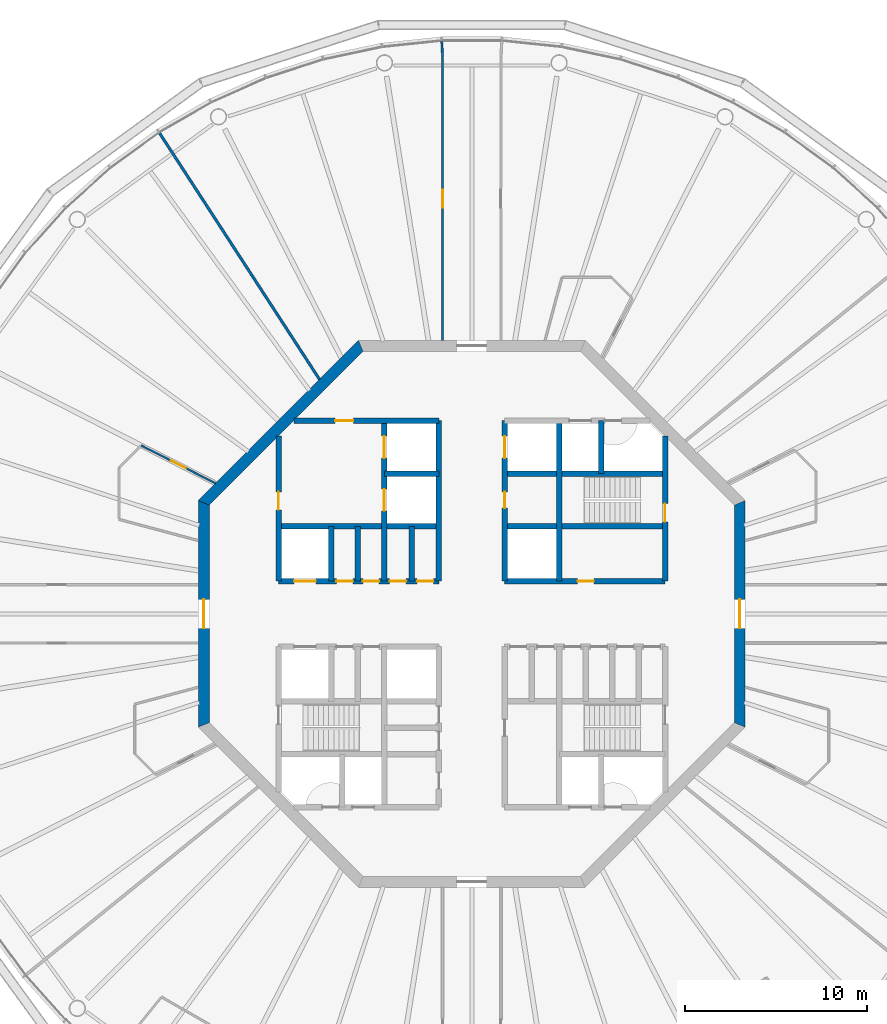
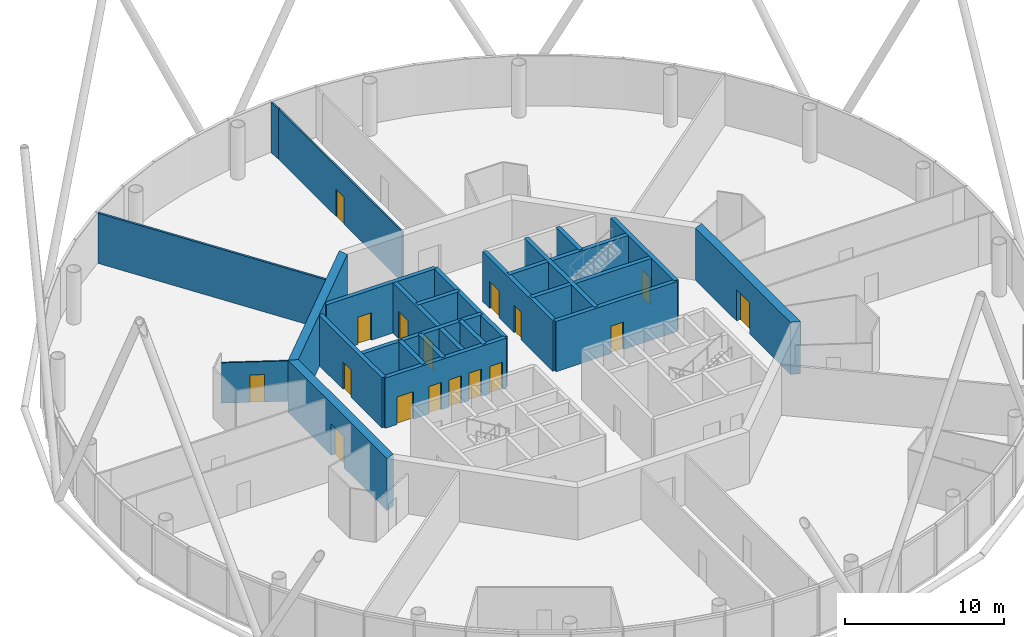
# One storey, part 5 of 13: 24 walls, 17 doors, 17 openings.
"""IFC4 building model written with IfcOpenShell, lengths in metres."""

from ifc_helpers import new_model, si_unit, direction, frame, frame_2d, origin, place, context, subcontext, project, spatial, polyline, rectangle, outline, extrude, material, layer, layer_set, type_object, element, fill, save


model = new_model("IFC4")

# Units and contexts
model_context = context("Model", 3, precision=1e-05, world=origin(), true_north=direction((0.0, 1.0)))
body_context = subcontext(model_context, "Body", "Model", "MODEL_VIEW")
ifc_project = project(units=[si_unit("LENGTHUNIT", "METRE"), si_unit("AREAUNIT", "SQUARE_METRE"), si_unit("VOLUMEUNIT", "CUBIC_METRE"), si_unit("PLANEANGLEUNIT", "RADIAN"), si_unit("MASSUNIT", "GRAM", prefix="KILO")], contexts=[model_context])

# Site, building, storey
site_placement = place(None, origin())
site = spatial("IfcSite", under=ifc_project, at=site_placement, CompositionType="ELEMENT")
building_placement = place(site_placement, origin())
building = spatial("IfcBuilding", under=site, at=building_placement, Name="Entoto Ring Tower", CompositionType="ELEMENT")
storey_placement = place(building_placement, frame((0.0, 0.0, 336.0)))
storey = spatial("IfcBuildingStorey", under=building, at=storey_placement, Name="L77", CompositionType="ELEMENT", Elevation=336.0)

# Wall, opening, door
ifc_material_1 = material(Name="Concrete C40/50", Category="concrete")
ifc_layer_1 = layer(ifc_material_1, 0.300048828125)
ifc_layer_set_1 = layer_set([ifc_layer_1], Name="Concrete C40/50")
wall_type_1 = type_object("IfcWallType", Name="Core enclosure wall 300 mm reinforced concrete", PredefinedType="SOLIDWALL", material=ifc_layer_set_1)
wall_1_placement = place(storey_placement, frame((100.60009765625, 81.800048828125, 0.0), z_axis=(0.0, 0.0, 1.0), x_axis=(0.0, 1.0, 0.0)))
wall_1 = element("IfcWall", 1, at=wall_1_placement, inside=storey, type_object=wall_type_1, Name="wall-L77-002", PredefinedType="SOLIDWALL", context=body_context, shape_type="SweptSolid", body=[
    extrude(rectangle(XDim=7.964599609375, YDim=0.300048828125, at=frame_2d((3.982421875, 0.0))), origin(), (0.0, 0.0, 1.0), 3.85009765625),
])
opening_1_placement = place(wall_1_placement, frame((3.25, 0.0, 0.0)))
opening_1 = element("IfcOpeningElement", 2, at=opening_1_placement, cuts=wall_1, Name="Opening K-29", PredefinedType="OPENING", context=body_context, shape_type="SweptSolid", body=[
    extrude(rectangle(XDim=1.0, YDim=2.10009765625, at=frame_2d((0.5, 1.050048828125))), frame((0.0, 0.16015625, 0.0), z_axis=(0.0, -1.0, 0.0), x_axis=(1.0, 0.0, 0.0)), (0.0, 0.0, 1.0), 0.320068359375),
])
ifc_material_2 = material(Name="Steel door leaf, fire rated", Category="steel")
ifc_layer_2 = layer(ifc_material_2, 0.050048828125)
ifc_layer_set_2 = layer_set([ifc_layer_2], Name="Steel door leaf, fire rated")
door_type_1 = type_object("IfcDoorType", Name="Fire door FD60 1000 x 2100 single leaf", OperationType="NOTDEFINED", PredefinedType="DOOR", material=ifc_layer_set_2)
door_1_placement = place(opening_1_placement, origin())
door_1 = element("IfcDoor", 3, at=door_1_placement, inside=storey, type_object=door_type_1, Name="Door K-29", OperationType="SINGLE_SWING_LEFT", OverallHeight=2.10009765625, OverallWidth=1.0, PredefinedType="DOOR", context=body_context, shape_type="SweptSolid", body=[
    extrude(rectangle(XDim=1.0, YDim=2.10009765625, at=frame_2d((0.5, 1.050048828125))), frame((0.0, 0.02490234375, 0.0), z_axis=(0.0, -1.0, 0.0), x_axis=(1.0, 0.0, 0.0)), (0.0, 0.0, 1.0), 0.050048828125),
])
fill(opening_1, door_1)

# Walls
wall_2_placement = place(storey_placement, frame((97.10009765625, 87.699951171875, 0.0), z_axis=(0.0, 0.0, 1.0), x_axis=(0.0, 1.0, 0.0)))
element("IfcWall", 4, at=wall_2_placement, inside=storey, type_object=wall_type_1, Name="wall-L77-006", PredefinedType="SOLIDWALL", context=body_context, shape_type="SweptSolid", body=[
    extrude(rectangle(XDim=2.900146484375, YDim=0.300048828125, at=frame_2d((1.4501953125, 0.0))), origin(), (0.0, 0.0, 1.0), 3.85009765625),
])
wall_3_placement = place(storey_placement, frame((94.800048828125, 81.800048828125, 0.0), z_axis=(0.0, 0.0, 1.0), x_axis=(0.0, 1.0, 0.0)))
element("IfcWall", 5, at=wall_3_placement, inside=storey, type_object=wall_type_1, Name="wall-L77-009", PredefinedType="SOLIDWALL", context=body_context, shape_type="SweptSolid", body=[
    extrude(rectangle(XDim=8.800048828125, YDim=0.300048828125, at=frame_2d((4.39990234375, 0.0))), origin(), (0.0, 0.0, 1.0), 3.85009765625),
])

# Wall, openings, doors
wall_4_placement = place(storey_placement, frame((91.800048828125, 81.800048828125, 0.0), z_axis=(0.0, 0.0, 1.0), x_axis=(0.0, 1.0, 0.0)))
wall_4 = element("IfcWall", 6, at=wall_4_placement, inside=storey, type_object=wall_type_1, Name="wall-L77-012", PredefinedType="SOLIDWALL", context=body_context, shape_type="SweptSolid", body=[
    extrude(rectangle(XDim=8.800048828125, YDim=0.300048828125, at=frame_2d((4.39990234375, 0.0))), origin(), (0.0, 0.0, 1.0), 3.85009765625),
])
opening_2_placement = place(wall_4_placement, frame((6.75, 0.0, 0.0)))
opening_2 = element("IfcOpeningElement", 7, at=opening_2_placement, cuts=wall_4, Name="Opening LD", PredefinedType="OPENING", context=body_context, shape_type="SweptSolid", body=[
    extrude(rectangle(XDim=1.199951171875, YDim=2.10009765625, at=frame_2d((0.60009765625, 1.050048828125))), frame((0.0, 0.16015625, 0.0), z_axis=(0.0, -1.0, 0.0), x_axis=(1.0, 0.0, 0.0)), (0.0, 0.0, 1.0), 0.320068359375),
])
opening_3_placement = place(wall_4_placement, frame((4.0, 0.0, 0.0)))
opening_3 = element("IfcOpeningElement", 8, at=opening_3_placement, cuts=wall_4, Name="Opening K-63", PredefinedType="OPENING", context=body_context, shape_type="SweptSolid", body=[
    extrude(rectangle(XDim=0.89990234375, YDim=2.10009765625, at=frame_2d((0.449951171875, 1.050048828125))), frame((0.0, 0.16015625, 0.0), z_axis=(0.0, -1.0, 0.0), x_axis=(1.0, 0.0, 0.0)), (0.0, 0.0, 1.0), 0.320068359375),
])
ifc_material_3 = material(Name="Steel door leaf, fire rated", Category="steel")
ifc_layer_3 = layer(ifc_material_3, 0.050048828125)
ifc_layer_set_3 = layer_set([ifc_layer_3], Name="Steel door leaf, fire rated")
door_type_2 = type_object("IfcDoorType", Name="Core door 900 x 2100 single leaf", OperationType="NOTDEFINED", PredefinedType="DOOR", material=ifc_layer_set_3)
door_2_placement = place(opening_3_placement, frame((0.89990234375, 0.0, 0.0), z_axis=(0.0, 0.0, 1.0), x_axis=(-1.0, 0.0, 0.0)))
door_2 = element("IfcDoor", 9, at=door_2_placement, inside=storey, type_object=door_type_2, Name="Door K-63", OperationType="SINGLE_SWING_RIGHT", OverallHeight=2.10009765625, OverallWidth=0.89990234375, PredefinedType="DOOR", context=body_context, shape_type="SweptSolid", body=[
    extrude(rectangle(XDim=0.89990234375, YDim=2.10009765625, at=frame_2d((0.449951171875, 1.050048828125))), frame((0.0, 0.02490234375, 0.0), z_axis=(0.0, -1.0, 0.0), x_axis=(1.0, 0.0, 0.0)), (0.0, 0.0, 1.0), 0.050048828125),
])
fill(opening_3, door_2)
ifc_material_4 = material(Name="Steel and glass door leaf", Category="steel")
ifc_layer_4 = layer(ifc_material_4, 0.050048828125)
ifc_layer_set_4 = layer_set([ifc_layer_4], Name="Steel and glass door leaf")
door_type_3 = type_object("IfcDoorType", Name="Landing door 1200 x 2100 sliding", OperationType="DOUBLE_DOOR_SLIDING", PredefinedType="DOOR", material=ifc_layer_set_4)
door_3_placement = place(opening_2_placement, origin())
door_3 = element("IfcDoor", 10, at=door_3_placement, inside=storey, type_object=door_type_3, Name="Landing door SH3", OperationType="SLIDING_TO_RIGHT", OverallHeight=2.10009765625, OverallWidth=1.199951171875, PredefinedType="DOOR", context=body_context, shape_type="SweptSolid", body=[
    extrude(rectangle(XDim=1.199951171875, YDim=2.10009765625, at=frame_2d((0.60009765625, 1.050048828125))), frame((0.0, 0.02490234375, 0.0), z_axis=(0.0, -1.0, 0.0), x_axis=(1.0, 0.0, 0.0)), (0.0, 0.0, 1.0), 0.050048828125),
])
fill(opening_2, door_3)

# Walls
wall_5_placement = place(storey_placement, frame((88.199951171875, 81.800048828125, 0.0), z_axis=(0.0, 0.0, 1.0), x_axis=(0.0, 1.0, 0.0)))
element("IfcWall", 11, at=wall_5_placement, inside=storey, type_object=wall_type_1, Name="wall-L77-014", PredefinedType="SOLIDWALL", context=body_context, shape_type="SweptSolid", body=[
    extrude(rectangle(XDim=8.800048828125, YDim=0.300048828125, at=frame_2d((4.39990234375, 0.0))), origin(), (0.0, 0.0, 1.0), 3.85009765625),
])
wall_6_placement = place(storey_placement, frame((86.699951171875, 81.800048828125, 0.0), z_axis=(0.0, 0.0, 1.0), x_axis=(0.0, 1.0, 0.0)))
element("IfcWall", 12, at=wall_6_placement, inside=storey, type_object=wall_type_1, Name="wall-L77-015", PredefinedType="SOLIDWALL", context=body_context, shape_type="SweptSolid", body=[
    extrude(rectangle(XDim=3.0, YDim=0.300048828125, at=frame_2d((1.5, 0.0))), origin(), (0.0, 0.0, 1.0), 3.85009765625),
])

# Wall, openings, doors
wall_7_placement = place(storey_placement, frame((85.199951171875, 81.800048828125, 0.0), z_axis=(0.0, 0.0, 1.0), x_axis=(0.0, 1.0, 0.0)))
wall_7 = element("IfcWall", 13, at=wall_7_placement, inside=storey, type_object=wall_type_1, Name="wall-L77-017", PredefinedType="SOLIDWALL", context=body_context, shape_type="SweptSolid", body=[
    extrude(rectangle(XDim=8.800048828125, YDim=0.300048828125, at=frame_2d((4.39990234375, 0.0))), origin(), (0.0, 0.0, 1.0), 3.85009765625),
])
opening_4_placement = place(wall_7_placement, frame((3.85009765625, 0.0, 0.0)))
opening_4 = element("IfcOpeningElement", 14, at=opening_4_placement, cuts=wall_7, Name="Opening LD", PredefinedType="OPENING", context=body_context, shape_type="SweptSolid", body=[
    extrude(rectangle(XDim=1.199951171875, YDim=2.10009765625, at=frame_2d((0.60009765625, 1.050048828125))), frame((0.0, 0.16015625, 0.0), z_axis=(0.0, -1.0, 0.0), x_axis=(1.0, 0.0, 0.0)), (0.0, 0.0, 1.0), 0.320068359375),
])
opening_5_placement = place(wall_7_placement, frame((6.75, 0.0, 0.0)))
opening_5 = element("IfcOpeningElement", 15, at=opening_5_placement, cuts=wall_7, Name="Opening LD", PredefinedType="OPENING", context=body_context, shape_type="SweptSolid", body=[
    extrude(rectangle(XDim=1.199951171875, YDim=2.10009765625, at=frame_2d((0.60009765625, 1.050048828125))), frame((0.0, 0.16015625, 0.0), z_axis=(0.0, -1.0, 0.0), x_axis=(1.0, 0.0, 0.0)), (0.0, 0.0, 1.0), 0.320068359375),
])
door_4_placement = place(opening_4_placement, origin())
door_4 = element("IfcDoor", 16, at=door_4_placement, inside=storey, type_object=door_type_3, Name="Landing door FF1", OperationType="SLIDING_TO_RIGHT", OverallHeight=2.10009765625, OverallWidth=1.199951171875, PredefinedType="DOOR", context=body_context, shape_type="SweptSolid", body=[
    extrude(rectangle(XDim=1.199951171875, YDim=2.10009765625, at=frame_2d((0.60009765625, 1.050048828125))), frame((0.0, 0.02490234375, 0.0), z_axis=(0.0, -1.0, 0.0), x_axis=(1.0, 0.0, 0.0)), (0.0, 0.0, 1.0), 0.050048828125),
])
fill(opening_4, door_4)
door_5_placement = place(opening_5_placement, origin())
door_5 = element("IfcDoor", 17, at=door_5_placement, inside=storey, type_object=door_type_3, Name="Landing door FF2", OperationType="SLIDING_TO_RIGHT", OverallHeight=2.10009765625, OverallWidth=1.199951171875, PredefinedType="DOOR", context=body_context, shape_type="SweptSolid", body=[
    extrude(rectangle(XDim=1.199951171875, YDim=2.10009765625, at=frame_2d((0.60009765625, 1.050048828125))), frame((0.0, 0.02490234375, 0.0), z_axis=(0.0, -1.0, 0.0), x_axis=(1.0, 0.0, 0.0)), (0.0, 0.0, 1.0), 0.050048828125),
])
fill(opening_5, door_5)

# Walls
for number, where, z_axis, x_axis, name in (
    (18, (83.75, 81.800048828125, 0.0), (0.0, 0.0, 1.0), (0.0, 1.0, 0.0), "wall-L77-019"),
    (19, (82.300048828125, 81.800048828125, 0.0), (0.0, 0.0, 1.0), (0.0, 1.0, 0.0), "wall-L77-022"),
):
    element("IfcWall", number, at=place(storey_placement, frame(where, z_axis=z_axis, x_axis=x_axis)), inside=storey, type_object=wall_type_1, Name=name, PredefinedType="SOLIDWALL", context=body_context, shape_type="SweptSolid", body=[
        extrude(rectangle(XDim=3.0, YDim=0.300048828125, at=frame_2d((1.5, 0.0))), origin(), (0.0, 0.0, 1.0), 3.85009765625),
    ])

# Wall, opening, door
wall_8_placement = place(storey_placement, frame((79.39990234375, 81.800048828125, 0.0), z_axis=(0.0, 0.0, 1.0), x_axis=(0.0, 1.0, 0.0)))
wall_8 = element("IfcWall", 20, at=wall_8_placement, inside=storey, type_object=wall_type_1, Name="wall-L77-024", PredefinedType="SOLIDWALL", context=body_context, shape_type="SweptSolid", body=[
    extrude(rectangle(XDim=7.964599609375, YDim=0.300048828125, at=frame_2d((3.982421875, 0.0))), origin(), (0.0, 0.0, 1.0), 3.85009765625),
])
opening_6_placement = place(wall_8_placement, frame((3.89990234375, 0.0, 0.0)))
opening_6 = element("IfcOpeningElement", 21, at=opening_6_placement, cuts=wall_8, Name="Opening K-35", PredefinedType="OPENING", context=body_context, shape_type="SweptSolid", body=[
    extrude(rectangle(XDim=1.0, YDim=2.10009765625, at=frame_2d((0.5, 1.050048828125))), frame((0.0, 0.16015625, 0.0), z_axis=(0.0, -1.0, 0.0), x_axis=(1.0, 0.0, 0.0)), (0.0, 0.0, 1.0), 0.320068359375),
])
door_6_placement = place(opening_6_placement, frame((1.0, 0.0, 0.0), z_axis=(0.0, 0.0, 1.0), x_axis=(-1.0, 0.0, 0.0)))
door_6 = element("IfcDoor", 22, at=door_6_placement, inside=storey, type_object=door_type_1, Name="Door K-35", OperationType="SINGLE_SWING_RIGHT", OverallHeight=2.10009765625, OverallWidth=1.0, PredefinedType="DOOR", context=body_context, shape_type="SweptSolid", body=[
    extrude(rectangle(XDim=1.0, YDim=2.10009765625, at=frame_2d((0.5, 1.050048828125))), frame((0.0, 0.02490234375, 0.0), z_axis=(0.0, -1.0, 0.0), x_axis=(1.0, 0.0, 0.0)), (0.0, 0.0, 1.0), 0.050048828125),
])
fill(opening_6, door_6)

# Wall, openings, doors
wall_9_placement = place(storey_placement, frame((79.39990234375, 81.800048828125, 0.0), z_axis=(0.0, 0.0, 1.0), x_axis=(1.0, 0.0, 0.0)))
wall_9 = element("IfcWall", 23, at=wall_9_placement, inside=storey, type_object=wall_type_1, Name="wall-L77-034", PredefinedType="SOLIDWALL", context=body_context, shape_type="SweptSolid", body=[
    extrude(rectangle(XDim=8.800048828125, YDim=0.300048828125, at=frame_2d((4.39990234375, 0.0))), origin(), (0.0, 0.0, 1.0), 3.85009765625),
])
opening_7_placement = place(wall_9_placement, frame((0.85009765625, 0.0, 0.0)))
opening_7 = element("IfcOpeningElement", 24, at=opening_7_placement, cuts=wall_9, Name="Opening LD", PredefinedType="OPENING", context=body_context, shape_type="SweptSolid", body=[
    extrude(rectangle(XDim=1.199951171875, YDim=2.10009765625, at=frame_2d((0.60009765625, 1.050048828125))), frame((0.0, 0.16015625, 0.0), z_axis=(0.0, -1.0, 0.0), x_axis=(1.0, 0.0, 0.0)), (0.0, 0.0, 1.0), 0.320068359375),
])
opening_8_placement = place(wall_9_placement, frame((3.175048828125, 0.0, 0.0)))
opening_8 = element("IfcOpeningElement", 25, at=opening_8_placement, cuts=wall_9, Name="Opening K-12", PredefinedType="OPENING", context=body_context, shape_type="SweptSolid", body=[
    extrude(rectangle(XDim=0.89990234375, YDim=2.10009765625, at=frame_2d((0.449951171875, 1.050048828125))), frame((0.0, 0.16015625, 0.0), z_axis=(0.0, -1.0, 0.0), x_axis=(1.0, 0.0, 0.0)), (0.0, 0.0, 1.0), 0.320068359375),
])
opening_9_placement = place(wall_9_placement, frame((4.625, 0.0, 0.0)))
opening_9 = element("IfcOpeningElement", 26, at=opening_9_placement, cuts=wall_9, Name="Opening K-46", PredefinedType="OPENING", context=body_context, shape_type="SweptSolid", body=[
    extrude(rectangle(XDim=0.89990234375, YDim=2.10009765625, at=frame_2d((0.449951171875, 1.050048828125))), frame((0.0, 0.16015625, 0.0), z_axis=(0.0, -1.0, 0.0), x_axis=(1.0, 0.0, 0.0)), (0.0, 0.0, 1.0), 0.320068359375),
])
opening_10_placement = place(wall_9_placement, frame((6.10009765625, 0.0, 0.0)))
opening_10 = element("IfcOpeningElement", 27, at=opening_10_placement, cuts=wall_9, Name="Opening K-25", PredefinedType="OPENING", context=body_context, shape_type="SweptSolid", body=[
    extrude(rectangle(XDim=0.89990234375, YDim=2.10009765625, at=frame_2d((0.449951171875, 1.050048828125))), frame((0.0, 0.16015625, 0.0), z_axis=(0.0, -1.0, 0.0), x_axis=(1.0, 0.0, 0.0)), (0.0, 0.0, 1.0), 0.320068359375),
])
opening_11_placement = place(wall_9_placement, frame((7.60009765625, 0.0, 0.0)))
opening_11 = element("IfcOpeningElement", 28, at=opening_11_placement, cuts=wall_9, Name="Opening K-77", PredefinedType="OPENING", context=body_context, shape_type="SweptSolid", body=[
    extrude(rectangle(XDim=0.89990234375, YDim=2.10009765625, at=frame_2d((0.449951171875, 1.050048828125))), frame((0.0, 0.16015625, 0.0), z_axis=(0.0, -1.0, 0.0), x_axis=(1.0, 0.0, 0.0)), (0.0, 0.0, 1.0), 0.320068359375),
])
door_7_placement = place(opening_8_placement, origin())
door_7 = element("IfcDoor", 29, at=door_7_placement, inside=storey, type_object=door_type_2, Name="Door K-12", OperationType="SINGLE_SWING_RIGHT", OverallHeight=2.10009765625, OverallWidth=0.89990234375, PredefinedType="DOOR", context=body_context, shape_type="SweptSolid", body=[
    extrude(rectangle(XDim=0.89990234375, YDim=2.10009765625, at=frame_2d((0.449951171875, 1.050048828125))), frame((0.0, 0.02490234375, 0.0), z_axis=(0.0, -1.0, 0.0), x_axis=(1.0, 0.0, 0.0)), (0.0, 0.0, 1.0), 0.050048828125),
])
fill(opening_8, door_7)
door_8_placement = place(opening_9_placement, origin())
door_8 = element("IfcDoor", 30, at=door_8_placement, inside=storey, type_object=door_type_2, Name="Door K-46", OperationType="SINGLE_SWING_RIGHT", OverallHeight=2.10009765625, OverallWidth=0.89990234375, PredefinedType="DOOR", context=body_context, shape_type="SweptSolid", body=[
    extrude(rectangle(XDim=0.89990234375, YDim=2.10009765625, at=frame_2d((0.449951171875, 1.050048828125))), frame((0.0, 0.02490234375, 0.0), z_axis=(0.0, -1.0, 0.0), x_axis=(1.0, 0.0, 0.0)), (0.0, 0.0, 1.0), 0.050048828125),
])
fill(opening_9, door_8)
door_9_placement = place(opening_10_placement, origin())
door_9 = element("IfcDoor", 31, at=door_9_placement, inside=storey, type_object=door_type_2, Name="Door K-25", OperationType="SINGLE_SWING_LEFT", OverallHeight=2.10009765625, OverallWidth=0.89990234375, PredefinedType="DOOR", context=body_context, shape_type="SweptSolid", body=[
    extrude(rectangle(XDim=0.89990234375, YDim=2.10009765625, at=frame_2d((0.449951171875, 1.050048828125))), frame((0.0, 0.02490234375, 0.0), z_axis=(0.0, -1.0, 0.0), x_axis=(1.0, 0.0, 0.0)), (0.0, 0.0, 1.0), 0.050048828125),
])
fill(opening_10, door_9)
door_10_placement = place(opening_11_placement, origin())
door_10 = element("IfcDoor", 32, at=door_10_placement, inside=storey, type_object=door_type_2, Name="Door K-77", OperationType="SINGLE_SWING_LEFT", OverallHeight=2.10009765625, OverallWidth=0.89990234375, PredefinedType="DOOR", context=body_context, shape_type="SweptSolid", body=[
    extrude(rectangle(XDim=0.89990234375, YDim=2.10009765625, at=frame_2d((0.449951171875, 1.050048828125))), frame((0.0, 0.02490234375, 0.0), z_axis=(0.0, -1.0, 0.0), x_axis=(1.0, 0.0, 0.0)), (0.0, 0.0, 1.0), 0.050048828125),
])
fill(opening_11, door_10)
door_11_placement = place(opening_7_placement, origin())
door_11 = element("IfcDoor", 33, at=door_11_placement, inside=storey, type_object=door_type_3, Name="Landing door SH1", OperationType="SLIDING_TO_RIGHT", OverallHeight=2.10009765625, OverallWidth=1.199951171875, PredefinedType="DOOR", context=body_context, shape_type="SweptSolid", body=[
    extrude(rectangle(XDim=1.199951171875, YDim=2.10009765625, at=frame_2d((0.60009765625, 1.050048828125))), frame((0.0, 0.02490234375, 0.0), z_axis=(0.0, -1.0, 0.0), x_axis=(1.0, 0.0, 0.0)), (0.0, 0.0, 1.0), 0.050048828125),
])
fill(opening_7, door_11)

# Wall, opening, door
wall_10_placement = place(storey_placement, frame((91.800048828125, 81.800048828125, 0.0), z_axis=(0.0, 0.0, 1.0), x_axis=(1.0, 0.0, 0.0)))
wall_10 = element("IfcWall", 34, at=wall_10_placement, inside=storey, type_object=wall_type_1, Name="wall-L77-035", PredefinedType="SOLIDWALL", context=body_context, shape_type="SweptSolid", body=[
    extrude(rectangle(XDim=8.800048828125, YDim=0.300048828125, at=frame_2d((4.39990234375, 0.0))), origin(), (0.0, 0.0, 1.0), 3.85009765625),
])
opening_12_placement = place(wall_10_placement, frame((4.0, 0.0, 0.0)))
opening_12 = element("IfcOpeningElement", 35, at=opening_12_placement, cuts=wall_10, Name="Opening K-11", PredefinedType="OPENING", context=body_context, shape_type="SweptSolid", body=[
    extrude(rectangle(XDim=0.89990234375, YDim=2.10009765625, at=frame_2d((0.449951171875, 1.050048828125))), frame((0.0, 0.16015625, 0.0), z_axis=(0.0, -1.0, 0.0), x_axis=(1.0, 0.0, 0.0)), (0.0, 0.0, 1.0), 0.320068359375),
])
door_12_placement = place(opening_12_placement, origin())
door_12 = element("IfcDoor", 36, at=door_12_placement, inside=storey, type_object=door_type_2, Name="Door K-11", OperationType="SINGLE_SWING_LEFT", OverallHeight=2.10009765625, OverallWidth=0.89990234375, PredefinedType="DOOR", context=body_context, shape_type="SweptSolid", body=[
    extrude(rectangle(XDim=0.89990234375, YDim=2.10009765625, at=frame_2d((0.449951171875, 1.050048828125))), frame((0.0, 0.02490234375, 0.0), z_axis=(0.0, -1.0, 0.0), x_axis=(1.0, 0.0, 0.0)), (0.0, 0.0, 1.0), 0.050048828125),
])
fill(opening_12, door_12)

# Walls
for number, where, z_axis, x_axis, name in (
    (37, (79.39990234375, 84.800048828125, 0.0), (0.0, 0.0, 1.0), (1.0, 0.0, 0.0), "wall-L77-036"),
    (38, (91.800048828125, 84.800048828125, 0.0), (0.0, 0.0, 1.0), (1.0, 0.0, 0.0), "wall-L77-037"),
):
    element("IfcWall", number, at=place(storey_placement, frame(where, z_axis=z_axis, x_axis=x_axis)), inside=storey, type_object=wall_type_1, Name=name, PredefinedType="SOLIDWALL", context=body_context, shape_type="SweptSolid", body=[
        extrude(rectangle(XDim=8.800048828125, YDim=0.300048828125, at=frame_2d((4.39990234375, 0.0))), origin(), (0.0, 0.0, 1.0), 3.85009765625),
    ])
wall_11_placement = place(storey_placement, frame((85.199951171875, 87.699951171875, 0.0), z_axis=(0.0, 0.0, 1.0), x_axis=(1.0, 0.0, 0.0)))
element("IfcWall", 39, at=wall_11_placement, inside=storey, type_object=wall_type_1, Name="wall-L77-038", PredefinedType="SOLIDWALL", context=body_context, shape_type="SweptSolid", body=[
    extrude(rectangle(XDim=3.0, YDim=0.300048828125, at=frame_2d((1.5, 0.0))), origin(), (0.0, 0.0, 1.0), 3.85009765625),
])
wall_12_placement = place(storey_placement, frame((91.800048828125, 87.699951171875, 0.0), z_axis=(0.0, 0.0, 1.0), x_axis=(1.0, 0.0, 0.0)))
element("IfcWall", 40, at=wall_12_placement, inside=storey, type_object=wall_type_1, Name="wall-L77-039", PredefinedType="SOLIDWALL", context=body_context, shape_type="SweptSolid", body=[
    extrude(rectangle(XDim=8.800048828125, YDim=0.300048828125, at=frame_2d((4.39990234375, 0.0))), origin(), (0.0, 0.0, 1.0), 3.85009765625),
])

# Wall, opening, door
wall_13_placement = place(storey_placement, frame((80.2353515625, 90.60009765625, 0.0), z_axis=(0.0, 0.0, 1.0), x_axis=(1.0, 0.0, 0.0)))
wall_13 = element("IfcWall", 41, at=wall_13_placement, inside=storey, type_object=wall_type_1, Name="wall-L77-040", PredefinedType="SOLIDWALL", context=body_context, shape_type="SweptSolid", body=[
    extrude(rectangle(XDim=7.964599609375, YDim=0.300048828125, at=frame_2d((3.982421875, 0.0))), origin(), (0.0, 0.0, 1.0), 3.85009765625),
])
opening_13_placement = place(wall_13_placement, frame((2.2646484375, 0.0, 0.0)))
opening_13 = element("IfcOpeningElement", 42, at=opening_13_placement, cuts=wall_13, Name="Opening K-36", PredefinedType="OPENING", context=body_context, shape_type="SweptSolid", body=[
    extrude(rectangle(XDim=1.0, YDim=2.10009765625, at=frame_2d((0.5, 1.050048828125))), frame((0.0, 0.16015625, 0.0), z_axis=(0.0, -1.0, 0.0), x_axis=(1.0, 0.0, 0.0)), (0.0, 0.0, 1.0), 0.320068359375),
])
door_13_placement = place(opening_13_placement, frame((1.0, 0.0, 0.0), z_axis=(0.0, 0.0, 1.0), x_axis=(-1.0, 0.0, 0.0)))
door_13 = element("IfcDoor", 43, at=door_13_placement, inside=storey, type_object=door_type_1, Name="Door K-36", OperationType="SINGLE_SWING_LEFT", OverallHeight=2.10009765625, OverallWidth=1.0, PredefinedType="DOOR", context=body_context, shape_type="SweptSolid", body=[
    extrude(rectangle(XDim=1.0, YDim=2.10009765625, at=frame_2d((0.5, 1.050048828125))), frame((0.0, 0.02490234375, 0.0), z_axis=(0.0, -1.0, 0.0), x_axis=(1.0, 0.0, 0.0)), (0.0, 0.0, 1.0), 0.050048828125),
])
fill(opening_13, door_13)

ifc_material_5 = material(Name="Concrete C40/50", Category="concrete")
ifc_layer_5 = layer(ifc_material_5, 0.60009765625)
ifc_layer_set_5 = layer_set([ifc_layer_5], Name="Concrete C40/50")
wall_type_2 = type_object("IfcWallType", Name="Core shear wall 600 mm reinforced concrete C40/50", PredefinedType="SHEAR", material=ifc_layer_set_5)
wall_14_placement = place(storey_placement, frame((104.699951171875, 73.9111328125, 0.0), z_axis=(0.0, 0.0, 1.0), x_axis=(0.0, 1.0, 0.0)))
wall_14 = element("IfcWall", 44, at=wall_14_placement, inside=storey, type_object=wall_type_2, Name="wall-L77-core-0", PredefinedType="SHEAR", context=body_context, shape_type="SweptSolid", body=[
    extrude(outline(polyline([(-0.124267578125, -0.300048828125), (12.302001953125, -0.300048828125), (12.053466796875, 0.300048828125), (0.124267578125, 0.300048828125), (-0.124267578125, -0.300048828125)])), origin(), (0.0, 0.0, 1.0), 4.0),
])
opening_14_placement = place(wall_14_placement, frame((5.288818359375, 0.0, 0.0)))
opening_14 = element("IfcOpeningElement", 45, at=opening_14_placement, cuts=wall_14, Name="Opening K-01", PredefinedType="OPENING", context=body_context, shape_type="SweptSolid", body=[
    extrude(rectangle(XDim=1.60009765625, YDim=2.39990234375, at=frame_2d((0.800048828125, 1.199951171875))), frame((0.0, 0.31005859375, 0.0), z_axis=(0.0, -1.0, 0.0), x_axis=(1.0, 0.0, 0.0)), (0.0, 0.0, 1.0), 0.6201171875),
])
ifc_material_6 = material(Name="Steel door leaf, fire rated", Category="steel")
ifc_layer_6 = layer(ifc_material_6, 0.050048828125)
ifc_layer_set_6 = layer_set([ifc_layer_6], Name="Steel door leaf, fire rated")
door_type_4 = type_object("IfcDoorType", Name="Entrance door FD60 1600 x 2400 double leaf", OperationType="DOUBLE_DOOR_SINGLE_SWING", PredefinedType="DOOR", material=ifc_layer_set_6)
door_14_placement = place(opening_14_placement, origin())
door_14 = element("IfcDoor", 46, at=door_14_placement, inside=storey, type_object=door_type_4, Name="Entrance door K-01", OperationType="DOUBLE_DOOR_SINGLE_SWING", OverallHeight=2.39990234375, OverallWidth=1.60009765625, PredefinedType="DOOR", context=body_context, shape_type="SweptSolid", body=[
    extrude(rectangle(XDim=1.60009765625, YDim=2.39990234375, at=frame_2d((0.800048828125, 1.199951171875))), frame((0.0, 0.02490234375, 0.0), z_axis=(0.0, -1.0, 0.0), x_axis=(1.0, 0.0, 0.0)), (0.0, 0.0, 1.0), 0.050048828125),
])
fill(opening_14, door_14)

# Wall
wall_15_placement = place(storey_placement, frame((83.9111328125, 94.699951171875, 0.0), z_axis=(0.0, 0.0, 1.0), x_axis=(-0.707106781187, -0.707106781187, 0.0)))
element("IfcWall", 47, at=wall_15_placement, inside=storey, type_object=wall_type_2, Name="wall-L77-core-3", PredefinedType="SHEAR", context=body_context, shape_type="SweptSolid", body=[
    extrude(outline(polyline([(-0.124267578125, -0.300048828125), (12.30224609375, -0.300048828125), (12.0537109375, 0.300048828125), (0.124267578125, 0.300048828125), (-0.124267578125, -0.300048828125)])), origin(), (0.0, 0.0, 1.0), 4.0),
])

# Wall, opening, door
wall_16_placement = place(storey_placement, frame((75.300048828125, 86.0888671875, 0.0), z_axis=(0.0, 0.0, 1.0), x_axis=(0.0, -1.0, 0.0)))
wall_16 = element("IfcWall", 48, at=wall_16_placement, inside=storey, type_object=wall_type_2, Name="wall-L77-core-4", PredefinedType="SHEAR", context=body_context, shape_type="SweptSolid", body=[
    extrude(outline(polyline([(-0.124267578125, -0.300048828125), (12.302001953125, -0.300048828125), (12.053466796875, 0.300048828125), (0.124267578125, 0.300048828125), (-0.124267578125, -0.300048828125)])), origin(), (0.0, 0.0, 1.0), 4.0),
])
opening_15_placement = place(wall_16_placement, frame((5.288818359375, 0.0, 0.0)))
opening_15 = element("IfcOpeningElement", 49, at=opening_15_placement, cuts=wall_16, Name="Opening K-03", PredefinedType="OPENING", context=body_context, shape_type="SweptSolid", body=[
    extrude(rectangle(XDim=1.60009765625, YDim=2.39990234375, at=frame_2d((0.800048828125, 1.199951171875))), frame((0.0, 0.31005859375, 0.0), z_axis=(0.0, -1.0, 0.0), x_axis=(1.0, 0.0, 0.0)), (0.0, 0.0, 1.0), 0.6201171875),
])
door_15_placement = place(opening_15_placement, origin())
door_15 = element("IfcDoor", 50, at=door_15_placement, inside=storey, type_object=door_type_4, Name="Entrance door K-03", OperationType="DOUBLE_DOOR_SINGLE_SWING", OverallHeight=2.39990234375, OverallWidth=1.60009765625, PredefinedType="DOOR", context=body_context, shape_type="SweptSolid", body=[
    extrude(rectangle(XDim=1.60009765625, YDim=2.39990234375, at=frame_2d((0.800048828125, 1.199951171875))), frame((0.0, 0.02490234375, 0.0), z_axis=(0.0, -1.0, 0.0), x_axis=(1.0, 0.0, 0.0)), (0.0, 0.0, 1.0), 0.050048828125),
])
fill(opening_15, door_15)

ifc_material_7 = material(Name="Fire-resisting plasterboard on steel studs", Category="steel")
ifc_layer_7 = layer(ifc_material_7, 0.125)
ifc_layer_set_7 = layer_set([ifc_layer_7], Name="Fire-resisting plasterboard on steel studs")
wall_type_3 = type_object("IfcWallType", Name="Corridor wall 125 mm one-hour plasterboard on steel studs", PredefinedType="PARTITIONING", material=ifc_layer_set_7)
wall_17_placement = place(storey_placement, frame((88.39990234375, 95.0, 0.0), z_axis=(0.0, 0.0, 1.0), x_axis=(0.0, 1.0, 0.0)))
wall_17 = element("IfcWall", 51, at=wall_17_placement, inside=storey, type_object=wall_type_3, Name="partition-L77-004", PredefinedType="PARTITIONING", context=body_context, shape_type="SweptSolid", body=[
    extrude(rectangle(XDim=15.52978515625, YDim=0.125, at=frame_2d((7.764892578125, 0.0))), origin(), (0.0, 0.0, 1.0), 3.85009765625),
])
opening_16_placement = place(wall_17_placement, frame((7.264892578125, 0.0, 0.0)))
opening_16 = element("IfcOpeningElement", 52, at=opening_16_placement, cuts=wall_17, Name="Opening A34-D05", PredefinedType="OPENING", context=body_context, shape_type="SweptSolid", body=[
    extrude(rectangle(XDim=1.0, YDim=2.10009765625, at=frame_2d((0.5, 1.050048828125))), frame((0.0, 0.072509765625, 0.0), z_axis=(0.0, -1.0, 0.0), x_axis=(1.0, 0.0, 0.0)), (0.0, 0.0, 1.0), 0.14501953125),
])
ifc_material_8 = material(Name="Fire-resisting timber door set", Category="wood")
door_type_5 = type_object("IfcDoorType", Name="Door 1000 x 2100 single leaf FD30S fire door", OperationType="NOTDEFINED", PredefinedType="DOOR", material=ifc_material_8)
door_16_placement = place(opening_16_placement, origin())
door_16 = element("IfcDoor", 53, at=door_16_placement, inside=storey, type_object=door_type_5, Name="Door A34-D05", OperationType="SINGLE_SWING_LEFT", OverallHeight=2.10009765625, OverallWidth=1.0, PredefinedType="DOOR", context=body_context, shape_type="SweptSolid", body=[
    extrude(rectangle(XDim=1.0, YDim=2.10009765625, at=frame_2d((0.5, 1.050048828125))), frame((0.0, 0.02490234375, 0.0), z_axis=(0.0, -1.0, 0.0), x_axis=(1.0, 0.0, 0.0)), (0.0, 0.0, 1.0), 0.050048828125),
])
fill(opening_16, door_16)

# Wall
wall_18_placement = place(storey_placement, frame((88.39990234375, 110.533203125, 0.0), z_axis=(0.0, 0.0, 1.0), x_axis=(-0.052499574911, 0.998620946423, 0.0)))
element("IfcWall", 54, at=wall_18_placement, inside=storey, type_object=wall_type_3, Name="partition-L77-012", PredefinedType="PARTITIONING", context=body_context, shape_type="SweptSolid", body=[
    extrude(rectangle(XDim=0.864990234375, YDim=0.125, at=frame_2d((0.4326171875, 0.0))), origin(), (0.0, 0.0, 1.0), 3.85009765625),
])

# Wall, opening, door
ifc_material_9 = material(Name="Plasterboard on steel studs", Category="steel")
ifc_layer_8 = layer(ifc_material_9, 0.10009765625)
ifc_layer_set_8 = layer_set([ifc_layer_8], Name="Plasterboard on steel studs")
wall_type_4 = type_object("IfcWallType", Name="Partition 100 mm plasterboard on steel studs, 3097 mm high", PredefinedType="PARTITIONING", material=ifc_layer_set_8)
wall_19_placement = place(storey_placement, frame((75.947021484375, 87.160400390625, 0.0), z_axis=(0.0, 0.0, 1.0), x_axis=(-0.891006498341, 0.453990550467, 0.0)))
wall_19 = element("IfcWall", 55, at=wall_19_placement, inside=storey, type_object=wall_type_4, Name="partition-L77-026", PredefinedType="PARTITIONING", context=body_context, shape_type="SweptSolid", body=[
    extrude(rectangle(XDim=4.57373046875, YDim=0.10009765625, at=frame_2d((2.286865234375, 0.0))), origin(), (0.0, 0.0, 1.0), 3.096923828125),
])
opening_17_placement = place(wall_19_placement, frame((1.8369140625, 0.0, 0.0)))
opening_17 = element("IfcOpeningElement", 56, at=opening_17_placement, cuts=wall_19, Name="Opening A34-D07", PredefinedType="OPENING", context=body_context, shape_type="SweptSolid", body=[
    extrude(rectangle(XDim=0.89990234375, YDim=2.10009765625, at=frame_2d((0.449951171875, 1.050048828125))), frame((0.0, 0.06005859375, 0.0), z_axis=(0.0, -1.0, 0.0), x_axis=(1.0, 0.0, 0.0)), (0.0, 0.0, 1.0), 0.1201171875),
])
ifc_material_10 = material(Name="Veneered timber door leaf in timber frame", Category="wood")
door_type_6 = type_object("IfcDoorType", Name="Door 900 x 2100 single leaf timber veneer", OperationType="NOTDEFINED", PredefinedType="DOOR", material=ifc_material_10)
door_17_placement = place(opening_17_placement, origin())
door_17 = element("IfcDoor", 57, at=door_17_placement, inside=storey, type_object=door_type_6, Name="Door A34-D07", OperationType="SINGLE_SWING_LEFT", OverallHeight=2.10009765625, OverallWidth=0.89990234375, PredefinedType="DOOR", context=body_context, shape_type="SweptSolid", body=[
    extrude(rectangle(XDim=0.89990234375, YDim=2.10009765625, at=frame_2d((0.449951171875, 1.050048828125))), frame((0.0, 0.02490234375, 0.0), z_axis=(0.0, -1.0, 0.0), x_axis=(1.0, 0.0, 0.0)), (0.0, 0.0, 1.0), 0.050048828125),
])
fill(opening_17, door_17)

# Wall
ifc_material_11 = material(Name="Fire-resisting acoustic plasterboard on steel studs", Category="steel")
ifc_layer_9 = layer(ifc_material_11, 0.14990234375)
ifc_layer_set_9 = layer_set([ifc_layer_9], Name="Fire-resisting acoustic plasterboard on steel studs")
wall_type_5 = type_object("IfcWallType", Name="Party wall 150 mm one-hour acoustic plasterboard on steel studs", PredefinedType="PARTITIONING", material=ifc_layer_set_9)
wall_20_placement = place(storey_placement, frame((81.64794921875, 92.861083984375, 0.0), z_axis=(0.0, 0.0, 1.0), x_axis=(-0.54464089364, 0.838669360937, 0.0)))
element("IfcWall", 58, at=wall_20_placement, inside=storey, type_object=wall_type_5, Name="partition-L77-020", PredefinedType="PARTITIONING", context=body_context, shape_type="SweptSolid", body=[
    extrude(rectangle(XDim=16.10498046875, YDim=0.14990234375, at=frame_2d((8.052490234375, 0.0))), origin(), (0.0, 0.0, 1.0), 3.85009765625),
])

save(model, "model.ifc")
